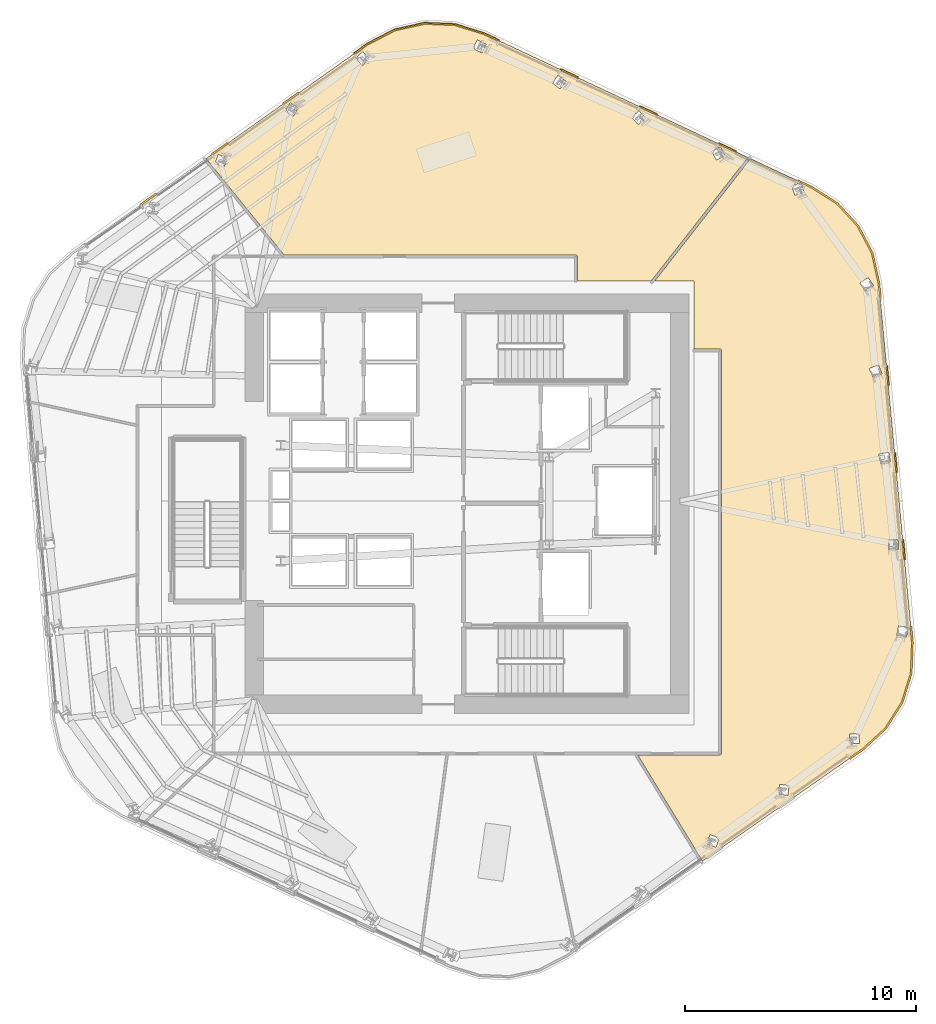
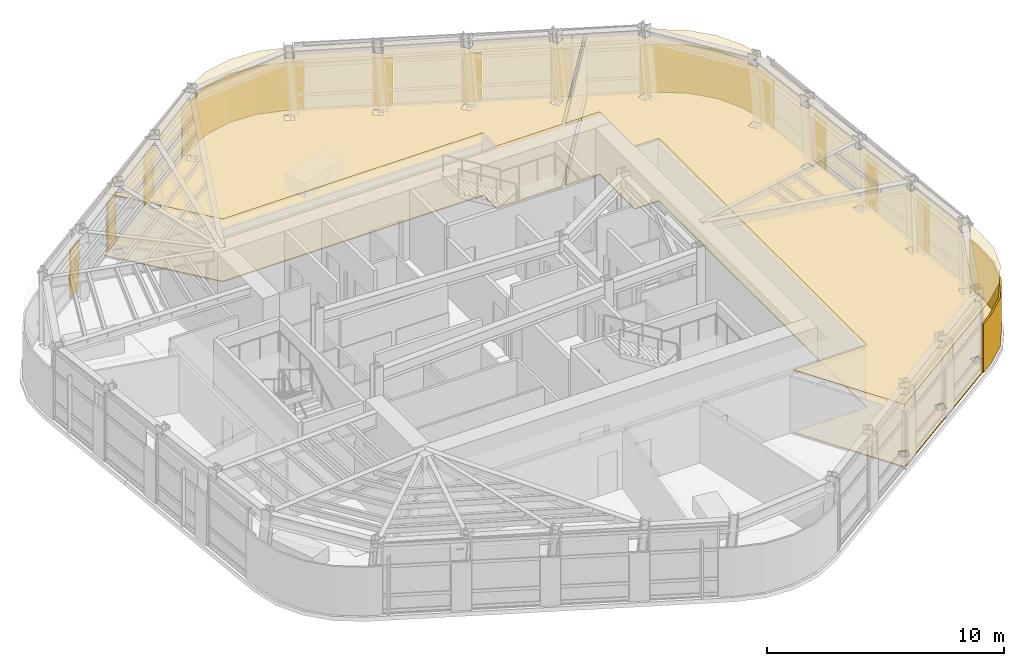
# One storey, part 13 of 14: 16 coverings.
"""IFC4 building model written with IfcOpenShell, lengths in metres."""

import ifcopenshell
import ifcopenshell.guid

model = None  # the IFC model being written
_history = None  # IfcOwnerHistory: only IFC2X3 demands one
_inside = {}  # id of a spatial element -> (the spatial element, [elements in it])
_under = {}  # id of a project, library or spatial element -> (it, [spatial elements below it])
_declared = {}  # id of a project -> (the project, [libraries it declares])
_typed = {}  # id of a type object -> (the type object, [elements of that type])
_made_of = {}  # id of a material, layer set ... -> (it, [elements and type objects made of it])


def new_model(schema):
    """Start an empty IFC model of exactly this schema.

    Asked for "IFC4X3", IfcOpenShell would pick the latest addendum, in which some entities
    have other attributes; the version numbers below select the first issue.
    IFC2X3 requires an IfcOwnerHistory on every rooted entity: one is made here for all.
    """
    global model, _history
    if schema == "IFC4X3":
        model = ifcopenshell.file(schema_version=(4, 3, 0, 0))
    else:
        model = ifcopenshell.file(schema=schema)
    _inside.clear()
    _under.clear()
    _declared.clear()
    _typed.clear()
    _made_of.clear()
    _history = None
    if model.schema == "IFC2X3":
        org = make("IfcOrganization", Name="unknown")
        user = make(
            "IfcPersonAndOrganization",
            ThePerson=make("IfcPerson", FamilyName="unknown"),
            TheOrganization=org,
        )
        app = make(
            "IfcApplication",
            ApplicationDeveloper=org,
            Version="unknown",
            ApplicationFullName="unknown",
            ApplicationIdentifier="unknown",
        )
        _history = make(
            "IfcOwnerHistory",
            OwningUser=user,
            OwningApplication=app,
            ChangeAction="ADDED",
            CreationDate=0,
        )
    return model


def make(cls, **values):
    """One entity of the class cls with the attributes given. An attribute that is None is left unset."""
    return model.create_entity(
        cls, **{name: value for name, value in values.items() if value is not None}
    )


def rooted(cls, **values):
    """An entity with a GlobalId (a new one), such as an element, a storey or a relation."""
    return make(cls, GlobalId=ifcopenshell.guid.new(), OwnerHistory=_history, **values)


def si_unit(unit_type, name, prefix=None):
    """IfcSIUnit, for example si_unit("LENGTHUNIT", "METRE", prefix="MILLI")."""
    return make("IfcSIUnit", UnitType=unit_type, Prefix=prefix, Name=name)


def assignment(units):
    """IfcUnitAssignment: the units of a project."""
    return None if units is None else make("IfcUnitAssignment", Units=units)


def point(xyz):
    """IfcCartesianPoint."""
    return None if xyz is None else make("IfcCartesianPoint", Coordinates=xyz)


def direction(xyz):
    """IfcDirection."""
    return None if xyz is None else make("IfcDirection", DirectionRatios=xyz)


def frame(location, z_axis=None, x_axis=None):
    """IfcAxis2Placement3D, a coordinate frame: its origin and axes. An axis left out is left unset."""
    return make(
        "IfcAxis2Placement3D",
        Location=point(location),
        Axis=direction(z_axis),
        RefDirection=direction(x_axis),
    )


def origin():
    """The frame at (0, 0, 0) with its axes left unset."""
    return frame((0.0, 0.0, 0.0))


def place(relative_to, where):
    """IfcLocalPlacement: puts the frame where relative to a parent placement (None: the world)."""
    return make(
        "IfcLocalPlacement", PlacementRelTo=relative_to, RelativePlacement=where
    )


def context(
    kind, dimensions, precision=None, world=None, true_north=None, identifier=None
):
    """IfcGeometricRepresentationContext, for example the 3D "Model" context."""
    return make(
        "IfcGeometricRepresentationContext",
        ContextIdentifier=identifier,
        ContextType=kind,
        CoordinateSpaceDimension=dimensions,
        Precision=precision,
        WorldCoordinateSystem=world,
        TrueNorth=true_north,
    )


def subcontext(parent, identifier, kind, view, scale=None):
    """IfcGeometricRepresentationSubContext, for example "Body" below "Model"."""
    return make(
        "IfcGeometricRepresentationSubContext",
        ContextIdentifier=identifier,
        ContextType=kind,
        ParentContext=parent,
        TargetScale=scale,
        TargetView=view,
    )


def project(units=None, contexts=None):
    """IfcProject with its units and contexts."""
    return rooted(
        "IfcProject",
        Name="project",
        RepresentationContexts=contexts,
        UnitsInContext=assignment(units),
    )


def spatial(cls, under=None, at=None, **own):
    """A site, building, storey or space (cls), placed at a placement, below another one or the project."""
    s = rooted(cls, ObjectPlacement=at, **own)
    if under is not None:
        _under.setdefault(under.id(), (under, []))[1].append(s)
    return s


def polyline(points):
    """IfcPolyline through the points."""
    return make("IfcPolyline", Points=[point(p) for p in points])


def outline(outer, holes=None, kind="AREA"):
    """IfcArbitraryClosedProfileDef: a profile drawn as a closed curve; with holes, ...WithVoids."""
    if holes is None:
        return make("IfcArbitraryClosedProfileDef", ProfileType=kind, OuterCurve=outer)
    return make(
        "IfcArbitraryProfileDefWithVoids",
        ProfileType=kind,
        OuterCurve=outer,
        InnerCurves=holes,
    )


def extrude(swept, where, along, depth):
    """IfcExtrudedAreaSolid: the profile swept, set in the frame where, extruded along a direction by depth."""
    return make(
        "IfcExtrudedAreaSolid",
        SweptArea=swept,
        Position=where,
        ExtrudedDirection=direction(along),
        Depth=depth,
    )


def shape(context_of_items, identifier, shape_type, items):
    """IfcShapeRepresentation: the items that make up one representation, for example the "Body"."""
    return make(
        "IfcShapeRepresentation",
        ContextOfItems=context_of_items,
        RepresentationIdentifier=identifier,
        RepresentationType=shape_type,
        Items=items,
    )


def material(Name=None, Category=None):
    """IfcMaterial."""
    return make("IfcMaterial", Name=Name, Category=Category)


def layer(
    of_material, thickness, ventilated=None, Name=None, Category=None, Priority=None
):
    """IfcMaterialLayer: one layer of a wall or slab, of a material (None: an air gap)."""
    return make(
        "IfcMaterialLayer",
        Material=of_material,
        LayerThickness=thickness,
        IsVentilated=ventilated,
        Name=Name,
        Category=Category,
        Priority=Priority,
    )


def layer_set(layers, Name=None):
    """IfcMaterialLayerSet."""
    return make("IfcMaterialLayerSet", MaterialLayers=layers, LayerSetName=Name)


def made_of(thing, what):
    """Note that an element or type object is made of a material, layer set ...; save() writes the relation."""
    if what is not None:
        _made_of.setdefault(what.id(), (what, []))[1].append(thing)
    return thing


def type_object(cls, material=None, **own):
    """A type object (cls), such as IfcWallType, which elements share."""
    return made_of(rooted(cls, **own), material)


def element(
    cls,
    number,
    at=None,
    inside=None,
    cuts=None,
    type_object=None,
    material=None,
    context=None,
    identifier="Body",
    shape_type=None,
    held_by="IfcProductDefinitionShape",
    body=None,
    shapes=None,
    **own,
):
    """One element of the class cls, such as IfcWall. Its Tag is "e" and its number.

    at: its placement. inside: the storey or other place that contains it. cuts: it is an
    opening in that element (IfcRelVoidsElement). A single representation is given by context,
    identifier, shape_type and body (its items); several are given by shapes. held_by: the class
    of the entity that holds the representations. save() writes the other relations.
    """
    e = rooted(cls, Tag="e%d" % number, ObjectPlacement=at, **own)
    if body is not None:
        shapes = [shape(context, identifier, shape_type, body)]
    if shapes is not None:
        e.Representation = make(held_by, Representations=shapes)
    if inside is not None:
        _inside.setdefault(inside.id(), (inside, []))[1].append(e)
    if cuts is not None:
        rooted(
            "IfcRelVoidsElement", RelatingBuildingElement=cuts, RelatedOpeningElement=e
        )
    if type_object is not None:
        _typed.setdefault(type_object.id(), (type_object, []))[1].append(e)
    return made_of(e, material)


def aggregate(whole, parts):
    """IfcRelAggregates: a whole, such as a stair, and the parts it consists of."""
    return rooted("IfcRelAggregates", RelatingObject=whole, RelatedObjects=parts)


def save(model, path):
    """Write the relations noted so far, then the file.

    IfcRelAggregates (storeys below a building ...), IfcRelContainedInSpatialStructure (elements
    in a storey), IfcRelDefinesByType, IfcRelAssociatesMaterial and IfcRelDeclares: one each for
    every whole, place, type object, material and project.
    """
    for whole, parts in _under.values():
        aggregate(whole, parts)
    for where, things in _inside.values():
        rooted(
            "IfcRelContainedInSpatialStructure",
            RelatedElements=things,
            RelatingStructure=where,
        )
    for kind, things in _typed.values():
        rooted("IfcRelDefinesByType", RelatedObjects=things, RelatingType=kind)
    for what, things in _made_of.values():
        rooted("IfcRelAssociatesMaterial", RelatedObjects=things, RelatingMaterial=what)
    for by, libraries in _declared.values():
        rooted("IfcRelDeclares", RelatingContext=by, RelatedDefinitions=libraries)
    model.write(path)


model = new_model("IFC4")

# Units and contexts
model_context = context("Model", 3, precision=1e-05, world=origin(), true_north=direction((0.0, 1.0)))
body_context = subcontext(model_context, "Body", "Model", "MODEL_VIEW")
ifc_project = project(units=[si_unit("LENGTHUNIT", "METRE"), si_unit("AREAUNIT", "SQUARE_METRE"), si_unit("VOLUMEUNIT", "CUBIC_METRE"), si_unit("PLANEANGLEUNIT", "RADIAN"), si_unit("MASSUNIT", "GRAM", prefix="KILO")], contexts=[model_context])

# Site, building, storey
site_placement = place(None, origin())
site = spatial("IfcSite", under=ifc_project, at=site_placement, CompositionType="ELEMENT")
building_placement = place(site_placement, origin())
building = spatial("IfcBuilding", under=site, at=building_placement, Name="Valkerne Bourse Tower", CompositionType="ELEMENT")
storey_placement = place(building_placement, frame((0.0, 0.0, 174.199951171875)))
storey = spatial("IfcBuildingStorey", under=building, at=storey_placement, Name="L44", CompositionType="ELEMENT", Elevation=174.199951171875)

# Coverings
ifc_material_1 = material(Name="Mineral Fiber Acoustic Ceiling Tile", Category="acoustic")
ifc_layer_1 = layer(ifc_material_1, 0.02490234375)
ifc_layer_set_1 = layer_set([ifc_layer_1], Name="Mineral Fiber Acoustic Ceiling Tile")
covering_type_1 = type_object("IfcCoveringType", Name="COV-CEIL-ACT", PredefinedType="CEILING", material=ifc_layer_set_1)
covering_1_placement = place(storey_placement, frame((0.0, 0.0, 3.22998046875)))
element("IfcCovering", 1, at=covering_1_placement, inside=storey, type_object=covering_type_1, Name="L44 Suspended Ceiling 10", PredefinedType="CEILING", context=body_context, shape_type="SweptSolid", body=[
    extrude(outline(polyline([(44.9580078125, 47.63818359375), (46.276611328125, 47.5830078125), (47.54443359375, 47.185791015625), (58.9404296875, 41.842041015625), (54.759765625, 36.5), (51.569091796875, 36.5), (51.56884765625, 37.564697265625), (51.547119140625, 37.61083984375), (51.50439453125, 37.62890625), (38.88525390625, 37.62890625), (35.519287109375, 41.79345703125), (42.49267578125, 46.73486328125), (43.67041015625, 47.350341796875), (44.9580078125, 47.63818359375)]), holes=[polyline([(36.295654296875, 41.43408203125), (36.435546875, 41.834228515625), (36.045166015625, 41.971923828125), (36.04296875, 41.97021484375), (35.903076171875, 41.5703125), (36.293701171875, 41.4326171875), (36.295654296875, 41.43408203125)]), polyline([(54.51318359375, 43.53125), (54.237548828125, 43.85302734375), (54.235107421875, 43.85400390625), (53.921142578125, 43.583984375), (54.19677734375, 43.26220703125), (54.19921875, 43.260986328125), (54.51318359375, 43.53125)]), polyline([(39.294189453125, 43.62353515625), (39.5126953125, 43.98681640625), (39.158447265625, 44.200927734375), (39.156005859375, 44.199951171875), (38.9375, 43.836669921875), (39.291748046875, 43.62255859375), (39.294189453125, 43.62353515625)]), polyline([(50.735595703125, 45.392578125), (50.73291015625, 45.39306640625), (50.480712890625, 45.064697265625), (50.81591796875, 44.805908203125), (50.818359375, 44.805419921875), (51.07080078125, 45.133544921875), (50.735595703125, 45.392578125)]), polyline([(42.577392578125, 46.14111328125), (42.269775390625, 46.41796875), (42.26708984375, 46.41748046875), (41.984619140625, 46.101806640625), (42.2919921875, 45.82470703125), (42.294921875, 45.8251953125), (42.577392578125, 46.14111328125)]), polyline([(47.239990234375, 46.92138671875), (47.237060546875, 46.92138671875), (47.051025390625, 46.551513671875), (47.4287109375, 46.3603515625), (47.431640625, 46.360107421875), (47.61767578125, 46.730224609375), (47.239990234375, 46.92138671875)]), polyline([(57.943115234375, 41.929931640625), (57.73876953125, 42.301025390625), (57.736572265625, 42.302490234375), (57.374267578125, 42.10205078125), (57.57861328125, 41.73095703125), (57.58056640625, 41.729248046875), (57.943115234375, 41.929931640625)])]), origin(), (0.0, 0.0, 1.0), 0.025146484375),
])
covering_2_placement = place(storey_placement, frame((0.0, 0.0, 3.22998046875)))
element("IfcCovering", 2, at=covering_2_placement, inside=storey, type_object=covering_type_1, Name="L44 Suspended Ceiling 11", PredefinedType="CEILING", context=body_context, shape_type="SweptSolid", body=[
    extrude(outline(polyline([(64.88720703125, 17.161865234375), (63.9091796875, 16.262451171875), (56.97412109375, 11.428466796875), (54.1767578125, 16.010986328125), (57.720703125, 16.010986328125), (57.76611328125, 16.0283203125), (57.7880859375, 16.069091796875), (57.788330078125, 33.510009765625), (57.76611328125, 33.551513671875), (57.723388671875, 33.56884765625), (56.60009765625, 33.569091796875), (56.60009765625, 36.5), (54.90966796875, 36.5), (59.050048828125, 41.790771484375), (61.679443359375, 40.5576171875), (62.8017578125, 39.845458984375), (63.695068359375, 38.8740234375), (64.306396484375, 37.70458984375), (64.596435546875, 36.4072265625), (66.04443359375, 20.86279296875), (65.98876953125, 19.53515625), (65.59423828125, 18.276123046875), (64.88720703125, 17.161865234375)]), holes=[polyline([(57.55712890625, 12.02978515625), (57.697021484375, 12.4296875), (57.306396484375, 12.5673828125), (57.30419921875, 12.56591796875), (57.16455078125, 12.165771484375), (57.554931640625, 12.028076171875), (57.55712890625, 12.02978515625)]), polyline([(60.664794921875, 14.2705078125), (60.72021484375, 14.690673828125), (60.31005859375, 14.74609375), (60.30810546875, 14.744140625), (60.252685546875, 14.323974609375), (60.662841796875, 14.268798828125), (60.664794921875, 14.2705078125)]), polyline([(63.761962890625, 16.517822265625), (63.7373046875, 16.94091796875), (63.32421875, 16.918212890625), (63.322509765625, 16.915771484375), (63.34716796875, 16.492919921875), (63.760498046875, 16.515380859375), (63.761962890625, 16.517822265625)]), polyline([(65.869873046875, 21.512451171875), (65.454345703125, 21.600341796875), (65.45361328125, 21.59765625), (65.368408203125, 21.193603515625), (65.78369140625, 21.105712890625), (65.78466796875, 21.1083984375), (65.869873046875, 21.512451171875)]), polyline([(65.44970703125, 25.307861328125), (65.025146484375, 25.316162109375), (65.02490234375, 25.3134765625), (65.01708984375, 24.900390625), (65.441650390625, 24.89208984375), (65.44189453125, 24.894775390625), (65.44970703125, 25.307861328125)]), polyline([(65.0947265625, 28.690185546875), (65.094482421875, 28.69287109375), (65.01806640625, 29.098876953125), (64.600830078125, 29.0205078125), (64.60107421875, 29.017822265625), (64.677490234375, 28.61181640625), (65.0947265625, 28.690185546875)]), polyline([(64.73779296875, 32.4951171875), (64.73681640625, 32.49755859375), (64.579345703125, 32.879638671875), (64.186767578125, 32.718017578125), (64.1875, 32.71533203125), (64.34521484375, 32.33349609375), (64.73779296875, 32.4951171875)]), polyline([(64.3681640625, 36.300048828125), (64.36669921875, 36.302490234375), (64.140380859375, 36.64794921875), (63.78515625, 36.415283203125), (63.786376953125, 36.412841796875), (64.012939453125, 36.0673828125), (64.3681640625, 36.300048828125)]), polyline([(61.232421875, 40.7392578125), (61.23046875, 40.7412109375), (60.8369140625, 40.6123046875), (60.9677734375, 40.20947265625), (60.9697265625, 40.20751953125), (61.36328125, 40.33642578125), (61.232421875, 40.7392578125)])]), origin(), (0.0, 0.0, 1.0), 0.025146484375),
])
ifc_material_2 = material(Name="Bronze Anodised Aluminium AA 6063-T6", Category="aluminium")
ifc_layer_2 = layer(ifc_material_2, 0.06005859375)
ifc_layer_set_2 = layer_set([ifc_layer_2], Name="Bronze Anodised Aluminium AA 6063-T6")
covering_type_2 = type_object("IfcCoveringType", Name="COV-CRN-ALUM", PredefinedType="CLADDING", material=ifc_layer_set_2)
covering_3_placement = place(storey_placement, origin())
element("IfcCovering", 3, at=covering_3_placement, inside=storey, type_object=covering_type_2, Name="L44 Wind-Shaped Corner Aluminium Cladding 01", PredefinedType="CLADDING", context=body_context, shape_type="SweptSolid", body=[
    extrude(outline(polyline([(66.032470703125, 19.527587890625), (65.634521484375, 18.25732421875), (64.921142578125, 17.13330078125), (63.936767578125, 16.22802734375), (63.358642578125, 15.8251953125), (63.312744140625, 15.890625), (63.886474609375, 16.29052734375), (64.859375, 17.185302734375), (65.561279296875, 18.291259765625), (65.953125, 19.54150390625), (66.00830078125, 20.86181640625), (65.943603515625, 21.558349609375), (66.023193359375, 21.5654296875), (66.088623046875, 20.864013671875), (66.032470703125, 19.527587890625)])), origin(), (0.0, 0.0, 1.0), 2.5),
])
covering_4_placement = place(storey_placement, origin())
element("IfcCovering", 4, at=covering_4_placement, inside=storey, type_object=covering_type_2, Name="L44 Wind-Shaped Corner Aluminium Cladding 14", PredefinedType="CLADDING", context=body_context, shape_type="SweptSolid", body=[
    extrude(outline(polyline([(33.349853515625, 40.309814453125), (33.395751953125, 40.244384765625), (32.71044921875, 39.7587890625), (32.66455078125, 39.82421875), (33.349853515625, 40.309814453125)])), origin(), (0.0, 0.0, 1.0), 2.5),
])
covering_5_placement = place(storey_placement, origin())
element("IfcCovering", 5, at=covering_5_placement, inside=storey, type_object=covering_type_2, Name="L44 Wind-Shaped Corner Aluminium Cladding 15", PredefinedType="CLADDING", context=body_context, shape_type="SweptSolid", body=[
    extrude(outline(polyline([(36.426513671875, 42.490234375), (36.47265625, 42.4248046875), (35.787353515625, 41.939208984375), (35.7412109375, 42.00439453125), (36.426513671875, 42.490234375)])), origin(), (0.0, 0.0, 1.0), 2.5),
])
covering_6_placement = place(storey_placement, origin())
element("IfcCovering", 6, at=covering_6_placement, inside=storey, type_object=covering_type_2, Name="L44 Wind-Shaped Corner Aluminium Cladding 16", PredefinedType="CLADDING", context=body_context, shape_type="SweptSolid", body=[
    extrude(outline(polyline([(39.50341796875, 44.67041015625), (39.549560546875, 44.60498046875), (38.8642578125, 44.119384765625), (38.818115234375, 44.184814453125), (39.50341796875, 44.67041015625)])), origin(), (0.0, 0.0, 1.0), 2.5),
])
covering_7_placement = place(storey_placement, origin())
element("IfcCovering", 7, at=covering_7_placement, inside=storey, type_object=covering_type_2, Name="L44 Wind-Shaped Corner Aluminium Cladding 17", PredefinedType="CLADDING", context=body_context, shape_type="SweptSolid", body=[
    extrude(outline(polyline([(42.4697265625, 46.7724609375), (43.655029296875, 47.39208984375), (44.9541015625, 47.6826171875), (46.2841796875, 47.626708984375), (47.560546875, 47.226806640625), (48.1982421875, 46.927734375), (48.16455078125, 46.855224609375), (47.531494140625, 47.152099609375), (46.270263671875, 47.54736328125), (44.961181640625, 47.602294921875), (43.682861328125, 47.31640625), (42.51171875, 46.7041015625), (41.94091796875, 46.2998046875), (41.89501953125, 46.364990234375), (42.4697265625, 46.7724609375)])), origin(), (0.0, 0.0, 1.0), 2.5),
])
covering_8_placement = place(storey_placement, origin())
element("IfcCovering", 8, at=covering_8_placement, inside=storey, type_object=covering_type_2, Name="L44 Wind-Shaped Corner Aluminium Cladding 18", PredefinedType="CLADDING", context=body_context, shape_type="SweptSolid", body=[
    extrude(outline(polyline([(51.612548828125, 45.32666015625), (51.578857421875, 45.254150390625), (50.818359375, 45.61083984375), (50.85205078125, 45.683349609375), (51.612548828125, 45.32666015625)])), origin(), (0.0, 0.0, 1.0), 2.5),
])
covering_9_placement = place(storey_placement, origin())
element("IfcCovering", 9, at=covering_9_placement, inside=storey, type_object=covering_type_2, Name="L44 Wind-Shaped Corner Aluminium Cladding 19", PredefinedType="CLADDING", context=body_context, shape_type="SweptSolid", body=[
    extrude(outline(polyline([(55.02685546875, 43.7255859375), (54.9931640625, 43.6533203125), (54.232666015625, 44.009765625), (54.266357421875, 44.082275390625), (55.02685546875, 43.7255859375)])), origin(), (0.0, 0.0, 1.0), 2.5),
])
covering_10_placement = place(storey_placement, origin())
element("IfcCovering", 10, at=covering_10_placement, inside=storey, type_object=covering_type_2, Name="L44 Wind-Shaped Corner Aluminium Cladding 20", PredefinedType="CLADDING", context=body_context, shape_type="SweptSolid", body=[
    extrude(outline(polyline([(58.441162109375, 42.124755859375), (58.407470703125, 42.05224609375), (57.64697265625, 42.40869140625), (57.6806640625, 42.4814453125), (58.441162109375, 42.124755859375)])), origin(), (0.0, 0.0, 1.0), 2.5),
])
covering_11_placement = place(storey_placement, origin())
element("IfcCovering", 11, at=covering_11_placement, inside=storey, type_object=covering_type_2, Name="L44 Wind-Shaped Corner Aluminium Cladding 21", PredefinedType="CLADDING", context=body_context, shape_type="SweptSolid", body=[
    extrude(outline(polyline([(61.70068359375, 40.596435546875), (62.830322265625, 39.87939453125), (63.7314453125, 38.899658203125), (64.34814453125, 37.719970703125), (64.639892578125, 36.414306640625), (64.701904296875, 35.748046875), (64.622314453125, 35.740966796875), (64.560791015625, 36.401611328125), (64.272216796875, 37.692138671875), (63.665283203125, 38.853271484375), (62.778564453125, 39.8173828125), (61.662109375, 40.526123046875), (61.061279296875, 40.807861328125), (61.094970703125, 40.88037109375), (61.70068359375, 40.596435546875)])), origin(), (0.0, 0.0, 1.0), 2.5),
])
covering_12_placement = place(storey_placement, origin())
element("IfcCovering", 12, at=covering_12_placement, inside=storey, type_object=covering_type_2, Name="L44 Wind-Shaped Corner Aluminium Cladding 22", PredefinedType="CLADDING", context=body_context, shape_type="SweptSolid", body=[
    extrude(outline(polyline([(65.0517578125, 31.993408203125), (64.97216796875, 31.986083984375), (64.894287109375, 32.822509765625), (64.973876953125, 32.82958984375), (65.0517578125, 31.993408203125)])), origin(), (0.0, 0.0, 1.0), 2.5),
])
covering_13_placement = place(storey_placement, origin())
element("IfcCovering", 13, at=covering_13_placement, inside=storey, type_object=covering_type_2, Name="L44 Wind-Shaped Corner Aluminium Cladding 23", PredefinedType="CLADDING", context=body_context, shape_type="SweptSolid", body=[
    extrude(outline(polyline([(65.401611328125, 28.238525390625), (65.322021484375, 28.231201171875), (65.243896484375, 29.06787109375), (65.32373046875, 29.074951171875), (65.401611328125, 28.238525390625)])), origin(), (0.0, 0.0, 1.0), 2.5),
])
covering_14_placement = place(storey_placement, origin())
element("IfcCovering", 14, at=covering_14_placement, inside=storey, type_object=covering_type_2, Name="L44 Wind-Shaped Corner Aluminium Cladding 24", PredefinedType="CLADDING", context=body_context, shape_type="SweptSolid", body=[
    extrude(outline(polyline([(65.75146484375, 24.48388671875), (65.671630859375, 24.4765625), (65.59375, 25.31298828125), (65.673583984375, 25.3203125), (65.75146484375, 24.48388671875)])), origin(), (0.0, 0.0, 1.0), 2.5),
])
ifc_material_3 = material(Name="Galvanised Painted Steel", Category="steel")
ifc_layer_3 = layer(ifc_material_3, 0.044921875)
ifc_layer_set_3 = layer_set([ifc_layer_3], Name="Galvanised Painted Steel")
covering_type_3 = type_object("IfcCoveringType", Name="COV-FLR-RAF", PredefinedType="FLOORING", material=ifc_layer_set_3)
covering_15_placement = place(storey_placement, origin())
element("IfcCovering", 15, at=covering_15_placement, inside=storey, type_object=covering_type_3, Name="L44 Floor Finish 10", PredefinedType="FLOORING", context=body_context, shape_type="SweptSolid", body=[
    extrude(outline(polyline([(44.9580078125, 47.63818359375), (46.276611328125, 47.5830078125), (47.54443359375, 47.185791015625), (58.9404296875, 41.842041015625), (54.759765625, 36.5), (51.569091796875, 36.5), (51.56884765625, 37.564697265625), (51.547119140625, 37.61083984375), (51.50439453125, 37.62890625), (38.88525390625, 37.62890625), (35.519287109375, 41.79345703125), (42.49267578125, 46.73486328125), (43.67041015625, 47.350341796875), (44.9580078125, 47.63818359375)]), holes=[polyline([(36.295654296875, 41.43408203125), (36.435546875, 41.834228515625), (36.045166015625, 41.971923828125), (36.04296875, 41.97021484375), (35.903076171875, 41.5703125), (36.293701171875, 41.4326171875), (36.295654296875, 41.43408203125)]), polyline([(54.51318359375, 43.53125), (54.237548828125, 43.85302734375), (54.235107421875, 43.85400390625), (53.921142578125, 43.583984375), (54.19677734375, 43.26220703125), (54.19921875, 43.260986328125), (54.51318359375, 43.53125)]), polyline([(39.294189453125, 43.62353515625), (39.5126953125, 43.98681640625), (39.158447265625, 44.200927734375), (39.156005859375, 44.199951171875), (38.9375, 43.836669921875), (39.291748046875, 43.62255859375), (39.294189453125, 43.62353515625)]), polyline([(50.735595703125, 45.392578125), (50.73291015625, 45.39306640625), (50.480712890625, 45.064697265625), (50.81591796875, 44.805908203125), (50.818359375, 44.805419921875), (51.07080078125, 45.133544921875), (50.735595703125, 45.392578125)]), polyline([(42.577392578125, 46.14111328125), (42.269775390625, 46.41796875), (42.26708984375, 46.41748046875), (41.984619140625, 46.101806640625), (42.2919921875, 45.82470703125), (42.294921875, 45.8251953125), (42.577392578125, 46.14111328125)]), polyline([(47.239990234375, 46.92138671875), (47.237060546875, 46.92138671875), (47.051025390625, 46.551513671875), (47.4287109375, 46.3603515625), (47.431640625, 46.360107421875), (47.61767578125, 46.730224609375), (47.239990234375, 46.92138671875)]), polyline([(57.943115234375, 41.929931640625), (57.73876953125, 42.301025390625), (57.736572265625, 42.302490234375), (57.374267578125, 42.10205078125), (57.57861328125, 41.73095703125), (57.58056640625, 41.729248046875), (57.943115234375, 41.929931640625)])]), origin(), (0.0, 0.0, 1.0), 0.045166015625),
])
covering_16_placement = place(storey_placement, origin())
element("IfcCovering", 16, at=covering_16_placement, inside=storey, type_object=covering_type_3, Name="L44 Floor Finish 11", PredefinedType="FLOORING", context=body_context, shape_type="SweptSolid", body=[
    extrude(outline(polyline([(64.88720703125, 17.161865234375), (63.9091796875, 16.262451171875), (56.97412109375, 11.428466796875), (54.1767578125, 16.010986328125), (57.720703125, 16.010986328125), (57.76611328125, 16.0283203125), (57.7880859375, 16.069091796875), (57.788330078125, 33.510009765625), (57.76611328125, 33.551513671875), (57.723388671875, 33.56884765625), (56.60009765625, 33.569091796875), (56.60009765625, 36.5), (54.90966796875, 36.5), (59.050048828125, 41.790771484375), (61.679443359375, 40.5576171875), (62.8017578125, 39.845458984375), (63.695068359375, 38.8740234375), (64.306396484375, 37.70458984375), (64.596435546875, 36.4072265625), (66.04443359375, 20.86279296875), (65.98876953125, 19.53515625), (65.59423828125, 18.276123046875), (64.88720703125, 17.161865234375)]), holes=[polyline([(57.55712890625, 12.02978515625), (57.697021484375, 12.4296875), (57.306396484375, 12.5673828125), (57.30419921875, 12.56591796875), (57.16455078125, 12.165771484375), (57.554931640625, 12.028076171875), (57.55712890625, 12.02978515625)]), polyline([(60.664794921875, 14.2705078125), (60.72021484375, 14.690673828125), (60.31005859375, 14.74609375), (60.30810546875, 14.744140625), (60.252685546875, 14.323974609375), (60.662841796875, 14.268798828125), (60.664794921875, 14.2705078125)]), polyline([(63.761962890625, 16.517822265625), (63.7373046875, 16.94091796875), (63.32421875, 16.918212890625), (63.322509765625, 16.915771484375), (63.34716796875, 16.492919921875), (63.760498046875, 16.515380859375), (63.761962890625, 16.517822265625)]), polyline([(65.869873046875, 21.512451171875), (65.454345703125, 21.600341796875), (65.45361328125, 21.59765625), (65.368408203125, 21.193603515625), (65.78369140625, 21.105712890625), (65.78466796875, 21.1083984375), (65.869873046875, 21.512451171875)]), polyline([(65.44970703125, 25.307861328125), (65.025146484375, 25.316162109375), (65.02490234375, 25.3134765625), (65.01708984375, 24.900390625), (65.441650390625, 24.89208984375), (65.44189453125, 24.894775390625), (65.44970703125, 25.307861328125)]), polyline([(65.0947265625, 28.690185546875), (65.094482421875, 28.69287109375), (65.01806640625, 29.098876953125), (64.600830078125, 29.0205078125), (64.60107421875, 29.017822265625), (64.677490234375, 28.61181640625), (65.0947265625, 28.690185546875)]), polyline([(64.73779296875, 32.4951171875), (64.73681640625, 32.49755859375), (64.579345703125, 32.879638671875), (64.186767578125, 32.718017578125), (64.1875, 32.71533203125), (64.34521484375, 32.33349609375), (64.73779296875, 32.4951171875)]), polyline([(64.3681640625, 36.300048828125), (64.36669921875, 36.302490234375), (64.140380859375, 36.64794921875), (63.78515625, 36.415283203125), (63.786376953125, 36.412841796875), (64.012939453125, 36.0673828125), (64.3681640625, 36.300048828125)]), polyline([(61.232421875, 40.7392578125), (61.23046875, 40.7412109375), (60.8369140625, 40.6123046875), (60.9677734375, 40.20947265625), (60.9697265625, 40.20751953125), (61.36328125, 40.33642578125), (61.232421875, 40.7392578125)])]), origin(), (0.0, 0.0, 1.0), 0.045166015625),
])

save(model, "model.ifc")
